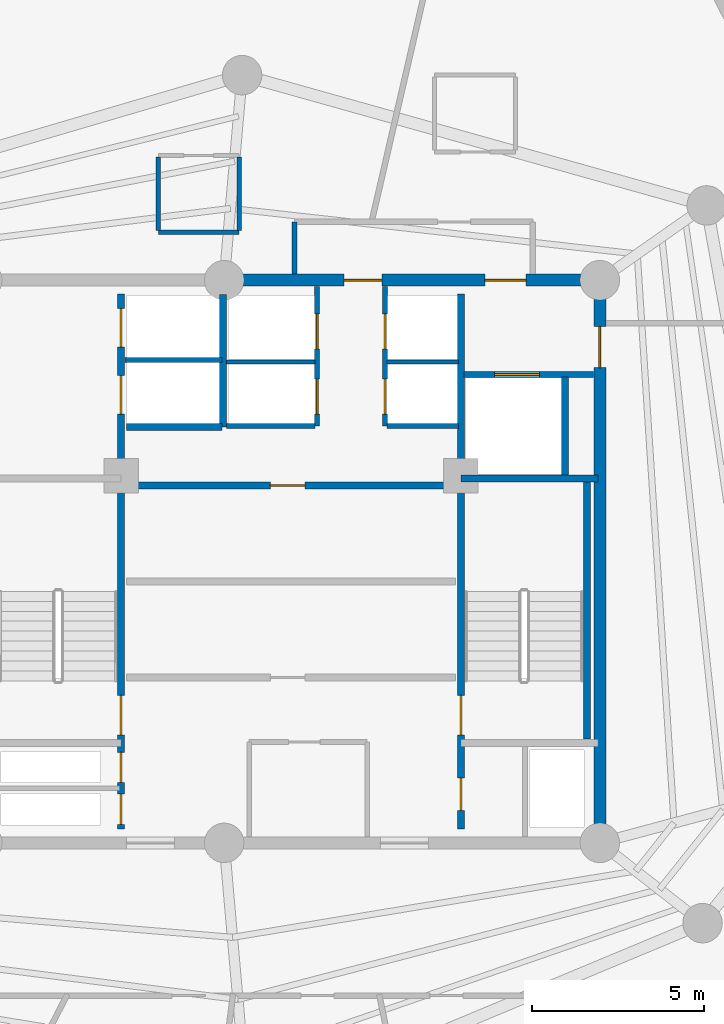
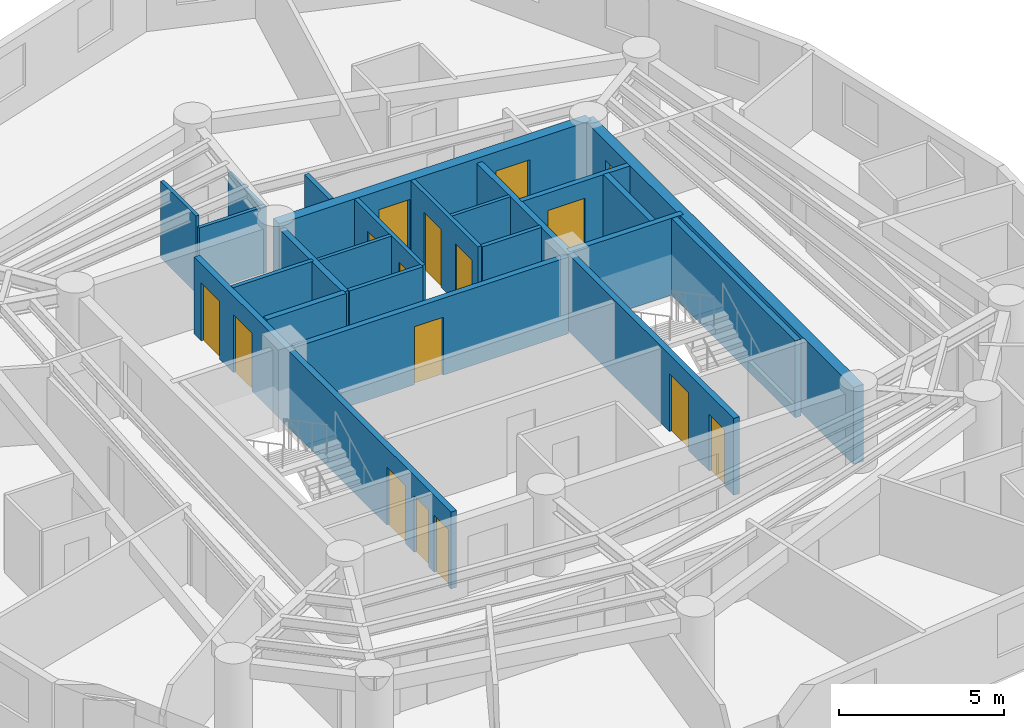
# One storey, part 4 of 7: 22 walls, 16 doors, 16 openings.
"""IFC4 building model written with IfcOpenShell, lengths in metres."""

from ifc_helpers import new_model, si_unit, direction, frame, frame_2d, origin, origin_with_axes, place, context, subcontext, project, spatial, rectangle, extrude, source, transform, mapped, material, layer, layer_set, type_object, element, fill, save


model = new_model("IFC4")

# Units and contexts
model_context = context("Model", 3, precision=1e-05, world=origin(), true_north=direction((0.0, 1.0)))
body_context = subcontext(model_context, "Body", "Model", "MODEL_VIEW")
ifc_project = project(units=[si_unit("LENGTHUNIT", "METRE"), si_unit("AREAUNIT", "SQUARE_METRE"), si_unit("VOLUMEUNIT", "CUBIC_METRE"), si_unit("PLANEANGLEUNIT", "RADIAN"), si_unit("MASSUNIT", "GRAM", prefix="KILO")], contexts=[model_context])

# Site, building, storey
site_placement = place(None, origin())
site = spatial("IfcSite", under=ifc_project, at=site_placement, CompositionType="ELEMENT")
building_placement = place(site_placement, origin())
building = spatial("IfcBuilding", under=site, at=building_placement, Name="Karkom Vertical University and Central Library", CompositionType="ELEMENT")
storey_placement = place(building_placement, frame((0.0, 0.0, 219.949951171875)))
storey = spatial("IfcBuildingStorey", under=building, at=storey_placement, Name="L64", CompositionType="ELEMENT", Elevation=219.949951171875)

# Walls
ifc_material_1 = material(Name="Insulated metal-stud drywall 160mm", Category="gypsum")
ifc_layer_1 = layer(ifc_material_1, 0.159912109375)
ifc_layer_set_1 = layer_set([ifc_layer_1], Name="Insulated metal-stud drywall 160mm")
wall_type_1 = type_object("IfcWallType", Name="INT-WL-COR-160", PredefinedType="PARTITIONING", material=ifc_layer_set_1)
wall_1_placement = place(storey_placement, frame((28.60009765625, 34.882080078125, 0.0), z_axis=(0.0, 0.0, 1.0), x_axis=(0.0, 1.0, 0.0)))
element("IfcWall", 1, at=wall_1_placement, inside=storey, type_object=wall_type_1, Name="Level 64 Interior Partition Wall L64-CORW-CW-006", PredefinedType="PARTITIONING", context=body_context, shape_type="SweptSolid", body=[
    extrude(rectangle(XDim=1.517822265625, YDim=0.159912109375, at=frame_2d((0.7587890625, 0.0))), origin(), (0.0, 0.0, 1.0), 2.85009765625),
])
ifc_material_2 = material(Name="Moisture-resistant drywall 120mm", Category="gypsum")
ifc_layer_2 = layer(ifc_material_2, 0.1201171875)
ifc_layer_set_2 = layer_set([ifc_layer_2], Name="Moisture-resistant drywall 120mm")
wall_type_2 = type_object("IfcWallType", Name="INT-WL-INT-120F", PredefinedType="PARTITIONING", material=ifc_layer_set_2)
wall_2_placement = place(storey_placement, frame((24.62890625, 36.096923828125, 0.0), z_axis=(0.0, 0.0, 1.0), x_axis=(1.0, 0.0, 0.0)))
element("IfcWall", 2, at=wall_2_placement, inside=storey, type_object=wall_type_2, Name="Level 64 Interior Partition Wall L64-ENS-49-S", PredefinedType="PARTITIONING", context=body_context, shape_type="SweptSolid", body=[
    extrude(rectangle(XDim=2.360107421875, YDim=0.1201171875, at=frame_2d((1.18017578125, 0.0))), origin(), (0.0, 0.0, 1.0), 2.449951171875),
])
wall_3_placement = place(storey_placement, frame((26.989013671875, 36.14697265625, 0.0), z_axis=(0.0, 0.0, 1.0), x_axis=(0.0, 1.0, 0.0)))
element("IfcWall", 3, at=wall_3_placement, inside=storey, type_object=wall_type_2, Name="Level 64 Interior Partition Wall L64-ENS-49-E", PredefinedType="PARTITIONING", context=body_context, shape_type="SweptSolid", body=[
    extrude(rectangle(XDim=2.14013671875, YDim=0.1201171875, at=frame_2d((1.070068359375, 0.0))), origin(), (0.0, 0.0, 1.0), 2.35009765625),
])
wall_4_placement = place(storey_placement, frame((24.62890625, 38.287109375, 0.0), z_axis=(0.0, 0.0, 1.0), x_axis=(0.0, -1.0, 0.0)))
element("IfcWall", 4, at=wall_4_placement, inside=storey, type_object=wall_type_2, Name="Level 64 Interior Partition Wall L64-ENS-49-W", PredefinedType="PARTITIONING", context=body_context, shape_type="SweptSolid", body=[
    extrude(rectangle(XDim=2.14013671875, YDim=0.1201171875, at=frame_2d((1.070068359375, 0.0))), origin(), (0.0, 0.0, 1.0), 2.85009765625),
])
ifc_layer_3 = layer(ifc_material_2, 0.1201171875)
ifc_layer_set_3 = layer_set([ifc_layer_3], Name="Moisture-resistant drywall 120mm")
wall_type_3 = type_object("IfcWallType", Name="INT-WL-INT-120H", PredefinedType="PARTITIONING", material=ifc_layer_set_3)
wall_5_placement = place(storey_placement, frame((26.6201171875, 32.320068359375, 0.0), z_axis=(0.0, 0.0, 1.0), x_axis=(1.0, 0.0, 0.0)))
element("IfcWall", 5, at=wall_5_placement, inside=storey, type_object=wall_type_3, Name="Level 64 Interior Partition Wall L64-CW-PH-MW", PredefinedType="PARTITIONING", context=body_context, shape_type="SweptSolid", body=[
    extrude(rectangle(XDim=2.579833984375, YDim=0.1201171875, at=frame_2d((1.2900390625, 0.0))), origin(), (0.0, 0.0, 1.0), 2.85009765625),
])
wall_6_placement = place(storey_placement, frame((31.300048828125, 32.320068359375, 0.0), z_axis=(0.0, 0.0, 1.0), x_axis=(1.0, 0.0, 0.0)))
element("IfcWall", 6, at=wall_6_placement, inside=storey, type_object=wall_type_3, Name="Level 64 Interior Partition Wall L64-CW-PH-ME", PredefinedType="PARTITIONING", context=body_context, shape_type="SweptSolid", body=[
    extrude(rectangle(XDim=2.074951171875, YDim=0.1201171875, at=frame_2d((1.03759765625, 0.0))), origin(), (0.0, 0.0, 1.0), 2.85009765625),
])

# Wall, openings, doors
ifc_material_3 = material(Name="Metal-stud gypsum partition 140mm", Category="gypsum")
ifc_layer_4 = layer(ifc_material_3, 0.139892578125)
ifc_layer_set_4 = layer_set([ifc_layer_4], Name="Metal-stud gypsum partition 140mm")
wall_type_4 = type_object("IfcWallType", Name="INT-WL-SUB-140H", PredefinedType="PARTITIONING", material=ifc_layer_set_4)
wall_7_placement = place(storey_placement, frame((29.260009765625, 30.449951171875, 0.0), z_axis=(0.0, 0.0, 1.0), x_axis=(0.0, 1.0, 0.0)))
wall_7 = element("IfcWall", 7, at=wall_7_placement, inside=storey, type_object=wall_type_4, Name="Level 64 Interior Partition Wall L64-CW-PH-W", PredefinedType="PARTITIONING", context=body_context, shape_type="SweptSolid", body=[
    extrude(rectangle(XDim=4.068115234375, YDim=0.139892578125, at=frame_2d((2.0341796875, 0.0))), origin(), (0.0, 0.0, 1.0), 2.85009765625),
])
opening_1_placement = place(wall_7_placement, frame((0.35009765625, 0.0, 0.0)))
opening_1 = element("IfcOpeningElement", 8, at=opening_1_placement, cuts=wall_7, Name="Opening LD-PH", PredefinedType="OPENING", context=body_context, shape_type="SweptSolid", body=[
    extrude(rectangle(XDim=1.02001953125, YDim=2.14990234375, at=frame_2d((0.510009765625, 1.074951171875))), frame((0.0, 0.080078125, 0.0), z_axis=(0.0, -1.0, 0.0), x_axis=(1.0, 0.0, 0.0)), (0.0, 0.0, 1.0), 0.159912109375),
])
opening_2_placement = place(wall_7_placement, frame((2.25, 0.0, 0.0)))
opening_2 = element("IfcOpeningElement", 9, at=opening_2_placement, cuts=wall_7, Name="Opening LD-PH", PredefinedType="OPENING", context=body_context, shape_type="SweptSolid", body=[
    extrude(rectangle(XDim=1.02001953125, YDim=2.14990234375, at=frame_2d((0.510009765625, 1.074951171875))), frame((0.0, 0.080078125, 0.0), z_axis=(0.0, -1.0, 0.0), x_axis=(1.0, 0.0, 0.0)), (0.0, 0.0, 1.0), 0.159912109375),
])
ifc_material_4 = material(Name="Brushed stainless-steel landing door", Category="steel")
door_type_1 = type_object("IfcDoorType", Name="INT-DR-LD-PH", OperationType="SLIDING_TO_LEFT", PredefinedType="DOOR", material=ifc_material_4)
shared_shape_1 = source(origin_with_axes(), body_context, "Body", "SweptSolid", [
    extrude(rectangle(XDim=1.02001953125, YDim=2.14990234375, at=frame_2d((0.510009765625, 1.074951171875))), frame((0.0, 0.02490234375, 0.0), z_axis=(0.0, -1.0, 0.0), x_axis=(1.0, 0.0, 0.0)), (0.0, 0.0, 1.0), 0.050048828125),
])
door_1_placement = place(opening_1_placement, origin())
door_1 = element("IfcDoor", 10, at=door_1_placement, inside=storey, type_object=door_type_1, Name="Level 64 Lift PH-1 Landing Door", OperationType="SLIDING_TO_LEFT", OverallHeight=2.14990234375, OverallWidth=1.02001953125, PredefinedType="DOOR", context=body_context, shape_type="MappedRepresentation", body=[
    mapped(shared_shape_1, transform((0.0, 0.0, 0.0), scale=1.0)),
])
fill(opening_1, door_1)
door_2_placement = place(opening_2_placement, origin())
door_2 = element("IfcDoor", 11, at=door_2_placement, inside=storey, type_object=door_type_1, Name="Level 64 Lift PH-2 Landing Door", OperationType="SLIDING_TO_LEFT", OverallHeight=2.14990234375, OverallWidth=1.02001953125, PredefinedType="DOOR", context=body_context, shape_type="MappedRepresentation", body=[
    mapped(shared_shape_1, transform((0.0, 0.0, 0.0), scale=1.0)),
])
fill(opening_2, door_2)

wall_8_placement = place(storey_placement, frame((31.239990234375, 30.449951171875, 0.0), z_axis=(0.0, 0.0, 1.0), x_axis=(0.0, 1.0, 0.0)))
wall_8 = element("IfcWall", 12, at=wall_8_placement, inside=storey, type_object=wall_type_4, Name="Level 64 Interior Partition Wall L64-CW-PH-E", PredefinedType="PARTITIONING", context=body_context, shape_type="SweptSolid", body=[
    extrude(rectangle(XDim=4.068115234375, YDim=0.139892578125, at=frame_2d((2.0341796875, 0.0))), origin(), (0.0, 0.0, 1.0), 2.85009765625),
])
opening_3_placement = place(wall_8_placement, frame((0.35009765625, 0.0, 0.0)))
opening_3 = element("IfcOpeningElement", 13, at=opening_3_placement, cuts=wall_8, Name="Opening LD-PH", PredefinedType="OPENING", context=body_context, shape_type="SweptSolid", body=[
    extrude(rectangle(XDim=1.02001953125, YDim=2.14990234375, at=frame_2d((0.510009765625, 1.074951171875))), frame((0.0, 0.080078125, 0.0), z_axis=(0.0, -1.0, 0.0), x_axis=(1.0, 0.0, 0.0)), (0.0, 0.0, 1.0), 0.159912109375),
])
opening_4_placement = place(wall_8_placement, frame((2.25, 0.0, 0.0)))
opening_4 = element("IfcOpeningElement", 14, at=opening_4_placement, cuts=wall_8, Name="Opening LD-PH", PredefinedType="OPENING", context=body_context, shape_type="SweptSolid", body=[
    extrude(rectangle(XDim=1.02001953125, YDim=2.14990234375, at=frame_2d((0.510009765625, 1.074951171875))), frame((0.0, 0.080078125, 0.0), z_axis=(0.0, -1.0, 0.0), x_axis=(1.0, 0.0, 0.0)), (0.0, 0.0, 1.0), 0.159912109375),
])
door_3_placement = place(opening_3_placement, origin())
door_3 = element("IfcDoor", 15, at=door_3_placement, inside=storey, type_object=door_type_1, Name="Level 64 Lift PH-3 Landing Door", OperationType="SLIDING_TO_LEFT", OverallHeight=2.14990234375, OverallWidth=1.02001953125, PredefinedType="DOOR", context=body_context, shape_type="MappedRepresentation", body=[
    mapped(shared_shape_1, transform((0.0, 0.0, 0.0), scale=1.0)),
])
fill(opening_3, door_3)
door_4_placement = place(opening_4_placement, origin())
door_4 = element("IfcDoor", 16, at=door_4_placement, inside=storey, type_object=door_type_1, Name="Level 64 Lift PH-4 Landing Door", OperationType="SLIDING_TO_LEFT", OverallHeight=2.14990234375, OverallWidth=1.02001953125, PredefinedType="DOOR", context=body_context, shape_type="MappedRepresentation", body=[
    mapped(shared_shape_1, transform((0.0, 0.0, 0.0), scale=1.0)),
])
fill(opening_4, door_4)

# Walls
wall_9_placement = place(storey_placement, frame((26.6201171875, 30.449951171875, 0.0), z_axis=(0.0, 0.0, 1.0), x_axis=(1.0, 0.0, 0.0)))
element("IfcWall", 17, at=wall_9_placement, inside=storey, type_object=wall_type_4, Name="Level 64 Interior Partition Wall L64-CW-PH-S1", PredefinedType="PARTITIONING", context=body_context, shape_type="SweptSolid", body=[
    extrude(rectangle(XDim=2.579833984375, YDim=0.139892578125, at=frame_2d((1.2900390625, 0.0))), origin(), (0.0, 0.0, 1.0), 2.85009765625),
])
wall_10_placement = place(storey_placement, frame((31.300048828125, 30.449951171875, 0.0), z_axis=(0.0, 0.0, 1.0), x_axis=(1.0, 0.0, 0.0)))
element("IfcWall", 18, at=wall_10_placement, inside=storey, type_object=wall_type_4, Name="Level 64 Interior Partition Wall L64-CW-PH-S2", PredefinedType="PARTITIONING", context=body_context, shape_type="SweptSolid", body=[
    extrude(rectangle(XDim=2.074951171875, YDim=0.139892578125, at=frame_2d((1.03759765625, 0.0))), origin(), (0.0, 0.0, 1.0), 2.85009765625),
])
ifc_layer_5 = layer(ifc_material_3, 0.139892578125)
ifc_layer_set_5 = layer_set([ifc_layer_5], Name="Metal-stud gypsum partition 140mm")
wall_type_5 = type_object("IfcWallType", Name="INT-WL-SUB-140X", PredefinedType="PARTITIONING", material=ifc_layer_set_5)
wall_11_placement = place(storey_placement, frame((23.652099609375, 32.3701171875, 0.0), z_axis=(0.0, 0.0, 1.0), x_axis=(1.0, 0.0, 0.0)))
element("IfcWall", 19, at=wall_11_placement, inside=storey, type_object=wall_type_5, Name="Level 64 Interior Partition Wall L64-CW-FFL-M", PredefinedType="PARTITIONING", context=body_context, shape_type="SweptSolid", body=[
    extrude(rectangle(XDim=2.827880859375, YDim=0.139892578125, at=frame_2d((1.4140625, 0.0))), origin(), (0.0, 0.0, 1.0), 2.85009765625),
])

# Wall, opening, door
ifc_material_5 = material(Name="Twin-stud acoustic drywall 180mm", Category="gypsum")
ifc_layer_6 = layer(ifc_material_5, 0.179931640625)
ifc_layer_set_6 = layer_set([ifc_layer_6], Name="Twin-stud acoustic drywall 180mm")
wall_type_6 = type_object("IfcWallType", Name="INT-WL-TEN-180F", PredefinedType="PARTITIONING", material=ifc_layer_set_6)
wall_12_placement = place(storey_placement, frame((33.534912109375, 31.949951171875, 0.0), z_axis=(0.0, 0.0, 1.0), x_axis=(1.0, 0.0, 0.0)))
wall_12 = element("IfcWall", 20, at=wall_12_placement, inside=storey, type_object=wall_type_6, Name="Level 64 Interior Partition Wall L64-CW-SVL-N", PredefinedType="PARTITIONING", context=body_context, shape_type="SweptSolid", body=[
    extrude(rectangle(XDim=3.783935546875, YDim=0.179931640625, at=frame_2d((1.89208984375, 0.0))), origin(), (0.0, 0.0, 1.0), 2.85009765625),
])
opening_5_placement = place(wall_12_placement, frame((0.89990234375, 0.0, 0.0)))
opening_5 = element("IfcOpeningElement", 21, at=opening_5_placement, cuts=wall_12, Name="Opening LD-SV1", PredefinedType="OPENING", context=body_context, shape_type="SweptSolid", body=[
    extrude(rectangle(XDim=1.300048828125, YDim=2.199951171875, at=frame_2d((0.64990234375, 1.10009765625))), frame((0.0, 0.10009765625, 0.0), z_axis=(0.0, -1.0, 0.0), x_axis=(1.0, 0.0, 0.0)), (0.0, 0.0, 1.0), 0.199951171875),
])
door_type_2 = type_object("IfcDoorType", Name="INT-DR-LD-SV1", OperationType="SLIDING_TO_LEFT", PredefinedType="DOOR", material=ifc_material_4)
shared_shape_2 = source(origin_with_axes(), body_context, "Body", "SweptSolid", [
    extrude(rectangle(XDim=1.300048828125, YDim=2.199951171875, at=frame_2d((0.64990234375, 1.10009765625))), frame((0.0, 0.02490234375, 0.0), z_axis=(0.0, -1.0, 0.0), x_axis=(1.0, 0.0, 0.0)), (0.0, 0.0, 1.0), 0.050048828125),
])
door_5_placement = place(opening_5_placement, origin())
door_5 = element("IfcDoor", 22, at=door_5_placement, inside=storey, type_object=door_type_2, Name="Level 64 Service Lift Landing Door LD-SV1", OperationType="SLIDING_TO_LEFT", OverallHeight=2.199951171875, OverallWidth=1.300048828125, PredefinedType="DOOR", context=body_context, shape_type="MappedRepresentation", body=[
    mapped(shared_shape_2, transform((0.0, 0.0, 0.0), scale=1.0)),
])
fill(opening_5, door_5)

ifc_material_6 = material(Name="Concrete C45/55", Category="concrete")
ifc_layer_7 = layer(ifc_material_6, 0.35009765625)
ifc_layer_set_7 = layer_set([ifc_layer_7], Name="Concrete C45/55")
wall_type_7 = type_object("IfcWallType", Name="STR-WL-CW-350", PredefinedType="SHEAR", material=ifc_layer_set_7)
wall_13_placement = place(storey_placement, frame((37.5, 18.300048828125, 0.0), z_axis=(0.0, 0.0, 1.0), x_axis=(0.0, 1.0, 0.0)))
wall_13 = element("IfcWall", 23, at=wall_13_placement, inside=storey, type_object=wall_type_7, Name="Level 64 Central Core Shear Wall EW", PredefinedType="SHEAR", context=body_context, shape_type="SweptSolid", body=[
    extrude(rectangle(XDim=16.39990234375, YDim=0.35009765625, at=frame_2d((8.199951171875, 0.0))), origin(), (0.0, 0.0, 1.0), 2.85009765625),
])
opening_6_placement = place(wall_13_placement, frame((13.85009765625, 0.0, 0.0)))
opening_6 = element("IfcOpeningElement", 24, at=opening_6_placement, cuts=wall_13, Name="Opening FD-SUB1", PredefinedType="OPENING", context=body_context, shape_type="SweptSolid", body=[
    extrude(rectangle(XDim=1.199951171875, YDim=2.14990234375, at=frame_2d((0.60009765625, 1.074951171875))), frame((0.0, 0.18505859375, 0.0), z_axis=(0.0, -1.0, 0.0), x_axis=(1.0, 0.0, 0.0)), (0.0, 0.0, 1.0), 0.3701171875),
])
ifc_material_7 = material(Name="Painted steel fire door", Category="steel")
door_type_3 = type_object("IfcDoorType", Name="INT-DR-SUB1", OperationType="NOTDEFINED", PredefinedType="DOOR", material=ifc_material_7)
shared_shape_3 = source(origin_with_axes(), body_context, "Body", "SweptSolid", [
    extrude(rectangle(XDim=1.199951171875, YDim=2.14990234375, at=frame_2d((0.60009765625, 1.074951171875))), frame((0.0, 0.02490234375, 0.0), z_axis=(0.0, -1.0, 0.0), x_axis=(1.0, 0.0, 0.0)), (0.0, 0.0, 1.0), 0.050048828125),
])
door_6_placement = place(opening_6_placement, origin())
door_6 = element("IfcDoor", 25, at=door_6_placement, inside=storey, type_object=door_type_3, Name="Level 64 East Corridor Service Lobby Door", OperationType="SINGLE_SWING_LEFT", OverallHeight=2.14990234375, OverallWidth=1.199951171875, PredefinedType="DOOR", context=body_context, shape_type="MappedRepresentation", body=[
    mapped(shared_shape_3, transform((0.0, 0.0, 0.0), scale=1.0)),
])
fill(opening_6, door_6)

# Wall, openings, doors
wall_14_placement = place(storey_placement, frame((37.5, 34.699951171875, 0.0), z_axis=(0.0, 0.0, 1.0), x_axis=(-1.0, 0.0, 0.0)))
wall_14 = element("IfcWall", 26, at=wall_14_placement, inside=storey, type_object=wall_type_7, Name="Level 64 Central Core Shear Wall NW1", PredefinedType="SHEAR", context=body_context, shape_type="SweptSolid", body=[
    extrude(rectangle(XDim=10.949951171875, YDim=0.35009765625, at=frame_2d((5.47509765625, 0.0))), origin(), (0.0, 0.0, 1.0), 2.85009765625),
])
opening_7_placement = place(wall_14_placement, frame((2.14990234375, 0.0, 0.0)))
opening_7 = element("IfcOpeningElement", 27, at=opening_7_placement, cuts=wall_14, Name="Opening FD-SUB1", PredefinedType="OPENING", context=body_context, shape_type="SweptSolid", body=[
    extrude(rectangle(XDim=1.199951171875, YDim=2.14990234375, at=frame_2d((0.60009765625, 1.074951171875))), frame((0.0, 0.18505859375, 0.0), z_axis=(0.0, -1.0, 0.0), x_axis=(1.0, 0.0, 0.0)), (0.0, 0.0, 1.0), 0.3701171875),
])
opening_8_placement = place(wall_14_placement, frame((6.35009765625, 0.0, 0.0)))
opening_8 = element("IfcOpeningElement", 28, at=opening_8_placement, cuts=wall_14, Name="Opening FD-FFL", PredefinedType="OPENING", context=body_context, shape_type="SweptSolid", body=[
    extrude(rectangle(XDim=1.10009765625, YDim=2.14990234375, at=frame_2d((0.550048828125, 1.074951171875))), frame((0.0, 0.18505859375, 0.0), z_axis=(0.0, -1.0, 0.0), x_axis=(1.0, 0.0, 0.0)), (0.0, 0.0, 1.0), 0.3701171875),
])
ifc_material_8 = material(Name="Painted steel smoke-seal fire door", Category="steel")
door_type_4 = type_object("IfcDoorType", Name="INT-DR-FFL", OperationType="NOTDEFINED", PredefinedType="DOOR", material=ifc_material_8)
shared_shape_4 = source(origin_with_axes(), body_context, "Body", "SweptSolid", [
    extrude(rectangle(XDim=1.10009765625, YDim=2.14990234375, at=frame_2d((0.550048828125, 1.074951171875))), frame((0.0, 0.02490234375, 0.0), z_axis=(0.0, -1.0, 0.0), x_axis=(1.0, 0.0, 0.0)), (0.0, 0.0, 1.0), 0.050048828125),
])
door_7_placement = place(opening_8_placement, origin())
door_7 = element("IfcDoor", 29, at=door_7_placement, inside=storey, type_object=door_type_4, Name="Level 64 North Core Lobby Exit Door", OperationType="SINGLE_SWING_LEFT", OverallHeight=2.14990234375, OverallWidth=1.10009765625, PredefinedType="DOOR", context=body_context, shape_type="MappedRepresentation", body=[
    mapped(shared_shape_4, transform((0.0, 0.0, 0.0), scale=1.0)),
])
fill(opening_8, door_7)
door_8_placement = place(opening_7_placement, origin())
door_8 = element("IfcDoor", 30, at=door_8_placement, inside=storey, type_object=door_type_3, Name="Level 64 Service Lobby Fire Door", OperationType="SINGLE_SWING_RIGHT", OverallHeight=2.14990234375, OverallWidth=1.199951171875, PredefinedType="DOOR", context=body_context, shape_type="MappedRepresentation", body=[
    mapped(shared_shape_3, transform((0.0, 0.0, 0.0), scale=1.0)),
])
fill(opening_7, door_8)

ifc_layer_8 = layer(ifc_material_6, 0.199951171875)
ifc_layer_set_8 = layer_set([ifc_layer_8], Name="Concrete C45/55")
wall_type_8 = type_object("IfcWallType", Name="STR-WL-ST-200", PredefinedType="SHEAR", material=ifc_layer_set_8)
wall_15_placement = place(storey_placement, frame((23.544921875, 18.699951171875, 0.0), z_axis=(0.0, 0.0, 1.0), x_axis=(0.0, 1.0, 0.0)))
wall_15 = element("IfcWall", 31, at=wall_15_placement, inside=storey, type_object=wall_type_8, Name="Level 64 Core Shaft Wall L64-CW-ST1-E", PredefinedType="SHEAR", context=body_context, shape_type="SweptSolid", body=[
    extrude(rectangle(XDim=15.60009765625, YDim=0.199951171875, at=frame_2d((7.800048828125, 0.0))), origin(), (0.0, 0.0, 1.0), 2.85009765625),
])
opening_9_placement = place(wall_15_placement, frame((2.75, 0.0, 0.0)))
opening_9 = element("IfcOpeningElement", 32, at=opening_9_placement, cuts=wall_15, Name="Opening FD-ST1", PredefinedType="OPENING", context=body_context, shape_type="SweptSolid", body=[
    extrude(rectangle(XDim=1.14990234375, YDim=2.14990234375, at=frame_2d((0.574951171875, 1.074951171875))), frame((0.0, 0.10986328125, 0.0), z_axis=(0.0, -1.0, 0.0), x_axis=(1.0, 0.0, 0.0)), (0.0, 0.0, 1.0), 0.219970703125),
])
opening_10_placement = place(wall_15_placement, frame((0.139892578125, 0.0, 0.0)))
opening_10 = element("IfcOpeningElement", 33, at=opening_10_placement, cuts=wall_15, Name="Opening FD-RIS", PredefinedType="OPENING", context=body_context, shape_type="SweptSolid", body=[
    extrude(rectangle(XDim=0.8798828125, YDim=2.10009765625, at=frame_2d((0.43994140625, 1.050048828125))), frame((0.0, 0.10986328125, 0.0), z_axis=(0.0, -1.0, 0.0), x_axis=(1.0, 0.0, 0.0)), (0.0, 0.0, 1.0), 0.219970703125),
])
opening_11_placement = place(wall_15_placement, frame((1.360107421875, 0.0, 0.0)))
opening_11 = element("IfcOpeningElement", 34, at=opening_11_placement, cuts=wall_15, Name="Opening FD-RIS", PredefinedType="OPENING", context=body_context, shape_type="SweptSolid", body=[
    extrude(rectangle(XDim=0.8798828125, YDim=2.10009765625, at=frame_2d((0.43994140625, 1.050048828125))), frame((0.0, 0.10986328125, 0.0), z_axis=(0.0, -1.0, 0.0), x_axis=(1.0, 0.0, 0.0)), (0.0, 0.0, 1.0), 0.219970703125),
])
opening_12_placement = place(wall_15_placement, frame((12.10009765625, 0.0, 0.0)))
opening_12 = element("IfcOpeningElement", 35, at=opening_12_placement, cuts=wall_15, Name="Opening LD-FFL", PredefinedType="OPENING", context=body_context, shape_type="SweptSolid", body=[
    extrude(rectangle(XDim=1.1201171875, YDim=2.14990234375, at=frame_2d((0.56005859375, 1.074951171875))), frame((0.0, 0.10986328125, 0.0), z_axis=(0.0, -1.0, 0.0), x_axis=(1.0, 0.0, 0.0)), (0.0, 0.0, 1.0), 0.219970703125),
])
opening_13_placement = place(wall_15_placement, frame((14.050048828125, 0.0, 0.0)))
opening_13 = element("IfcOpeningElement", 36, at=opening_13_placement, cuts=wall_15, Name="Opening LD-FFL", PredefinedType="OPENING", context=body_context, shape_type="SweptSolid", body=[
    extrude(rectangle(XDim=1.1201171875, YDim=2.14990234375, at=frame_2d((0.56005859375, 1.074951171875))), frame((0.0, 0.10986328125, 0.0), z_axis=(0.0, -1.0, 0.0), x_axis=(1.0, 0.0, 0.0)), (0.0, 0.0, 1.0), 0.219970703125),
])
ifc_material_9 = material(Name="Painted steel acoustic fire door", Category="steel")
door_type_5 = type_object("IfcDoorType", Name="INT-DR-ST1", OperationType="NOTDEFINED", PredefinedType="DOOR", material=ifc_material_9)
shared_shape_5 = source(origin_with_axes(), body_context, "Body", "SweptSolid", [
    extrude(rectangle(XDim=1.14990234375, YDim=2.14990234375, at=frame_2d((0.574951171875, 1.074951171875))), frame((0.0, 0.02490234375, 0.0), z_axis=(0.0, -1.0, 0.0), x_axis=(1.0, 0.0, 0.0)), (0.0, 0.0, 1.0), 0.050048828125),
])
door_9_placement = place(opening_9_placement, origin())
door_9 = element("IfcDoor", 37, at=door_9_placement, inside=storey, type_object=door_type_5, Name="Level 64 Stair ST-1 Fire Door", OperationType="SINGLE_SWING_RIGHT", OverallHeight=2.14990234375, OverallWidth=1.14990234375, PredefinedType="DOOR", context=body_context, shape_type="MappedRepresentation", body=[
    mapped(shared_shape_5, transform((0.0, 0.0, 0.0), scale=1.0)),
])
fill(opening_9, door_9)
ifc_material_10 = material(Name="Painted steel riser access door", Category="steel")
door_type_6 = type_object("IfcDoorType", Name="INT-DR-RIS", OperationType="NOTDEFINED", PredefinedType="DOOR", material=ifc_material_10)
shared_shape_6 = source(origin_with_axes(), body_context, "Body", "SweptSolid", [
    extrude(rectangle(XDim=0.8798828125, YDim=2.10009765625, at=frame_2d((0.43994140625, 1.050048828125))), frame((0.0, 0.02490234375, 0.0), z_axis=(0.0, -1.0, 0.0), x_axis=(1.0, 0.0, 0.0)), (0.0, 0.0, 1.0), 0.050048828125),
])
door_10_placement = place(opening_10_placement, origin())
door_10 = element("IfcDoor", 38, at=door_10_placement, inside=storey, type_object=door_type_6, Name="Level 64 Electrical Riser Access Door", OperationType="SINGLE_SWING_LEFT", OverallHeight=2.10009765625, OverallWidth=0.8798828125, PredefinedType="DOOR", context=body_context, shape_type="MappedRepresentation", body=[
    mapped(shared_shape_6, transform((0.0, 0.0, 0.0), scale=1.0)),
])
fill(opening_10, door_10)
door_11_placement = place(opening_11_placement, origin())
door_11 = element("IfcDoor", 39, at=door_11_placement, inside=storey, type_object=door_type_6, Name="Level 64 Telecom Riser Access Door", OperationType="SINGLE_SWING_RIGHT", OverallHeight=2.10009765625, OverallWidth=0.8798828125, PredefinedType="DOOR", context=body_context, shape_type="MappedRepresentation", body=[
    mapped(shared_shape_6, transform((0.0, 0.0, 0.0), scale=1.0)),
])
fill(opening_11, door_11)
ifc_material_11 = material(Name="Fire-rated stainless-steel landing door", Category="steel")
door_type_7 = type_object("IfcDoorType", Name="INT-DR-LD-FFL", OperationType="SLIDING_TO_LEFT", PredefinedType="DOOR", material=ifc_material_11)
shared_shape_7 = source(origin_with_axes(), body_context, "Body", "SweptSolid", [
    extrude(rectangle(XDim=1.1201171875, YDim=2.14990234375, at=frame_2d((0.56005859375, 1.074951171875))), frame((0.0, 0.02490234375, 0.0), z_axis=(0.0, -1.0, 0.0), x_axis=(1.0, 0.0, 0.0)), (0.0, 0.0, 1.0), 0.050048828125),
])
door_12_placement = place(opening_12_placement, origin())
door_12 = element("IfcDoor", 40, at=door_12_placement, inside=storey, type_object=door_type_7, Name="Level 64 Firefighting Lift FFL-1 Landing Door", OperationType="SLIDING_TO_LEFT", OverallHeight=2.14990234375, OverallWidth=1.1201171875, PredefinedType="DOOR", context=body_context, shape_type="MappedRepresentation", body=[
    mapped(shared_shape_7, transform((0.0, 0.0, 0.0), scale=1.0)),
])
fill(opening_12, door_12)
door_13_placement = place(opening_13_placement, origin())
door_13 = element("IfcDoor", 41, at=door_13_placement, inside=storey, type_object=door_type_7, Name="Level 64 Firefighting Lift FFL-2 Landing Door", OperationType="SLIDING_TO_RIGHT", OverallHeight=2.14990234375, OverallWidth=1.1201171875, PredefinedType="DOOR", context=body_context, shape_type="MappedRepresentation", body=[
    mapped(shared_shape_7, transform((0.0, 0.0, 0.0), scale=1.0)),
])
fill(opening_13, door_13)

wall_16_placement = place(storey_placement, frame((33.455078125, 18.699951171875, 0.0), z_axis=(0.0, 0.0, 1.0), x_axis=(0.0, 1.0, 0.0)))
wall_16 = element("IfcWall", 42, at=wall_16_placement, inside=storey, type_object=wall_type_8, Name="Level 64 Core Shaft Wall L64-CW-ST2-W", PredefinedType="SHEAR", context=body_context, shape_type="SweptSolid", body=[
    extrude(rectangle(XDim=15.60009765625, YDim=0.199951171875, at=frame_2d((7.800048828125, 0.0))), origin(), (0.0, 0.0, 1.0), 2.85009765625),
])
opening_14_placement = place(wall_16_placement, frame((2.75, 0.0, 0.0)))
opening_14 = element("IfcOpeningElement", 43, at=opening_14_placement, cuts=wall_16, Name="Opening FD-ST1", PredefinedType="OPENING", context=body_context, shape_type="SweptSolid", body=[
    extrude(rectangle(XDim=1.14990234375, YDim=2.14990234375, at=frame_2d((0.574951171875, 1.074951171875))), frame((0.0, 0.10986328125, 0.0), z_axis=(0.0, -1.0, 0.0), x_axis=(1.0, 0.0, 0.0)), (0.0, 0.0, 1.0), 0.219970703125),
])
opening_15_placement = place(wall_16_placement, frame((0.550048828125, 0.0, 0.0)))
opening_15 = element("IfcOpeningElement", 44, at=opening_15_placement, cuts=wall_16, Name="Opening D-WC1", PredefinedType="OPENING", context=body_context, shape_type="SweptSolid", body=[
    extrude(rectangle(XDim=0.93994140625, YDim=2.10009765625, at=frame_2d((0.469970703125, 1.050048828125))), frame((0.0, 0.10986328125, 0.0), z_axis=(0.0, -1.0, 0.0), x_axis=(1.0, 0.0, 0.0)), (0.0, 0.0, 1.0), 0.219970703125),
])
door_14_placement = place(opening_14_placement, origin())
door_14 = element("IfcDoor", 45, at=door_14_placement, inside=storey, type_object=door_type_5, Name="Level 64 Stair ST-2 Fire Door", OperationType="SINGLE_SWING_LEFT", OverallHeight=2.14990234375, OverallWidth=1.14990234375, PredefinedType="DOOR", context=body_context, shape_type="MappedRepresentation", body=[
    mapped(shared_shape_5, transform((0.0, 0.0, 0.0), scale=1.0)),
])
fill(opening_14, door_14)
ifc_material_12 = material(Name="Fire-rated laminate moisture-resistant door", Category="wood")
door_type_8 = type_object("IfcDoorType", Name="INT-DR-WC1", OperationType="NOTDEFINED", PredefinedType="DOOR", material=ifc_material_12)
shared_shape_8 = source(origin_with_axes(), body_context, "Body", "SweptSolid", [
    extrude(rectangle(XDim=0.93994140625, YDim=2.10009765625, at=frame_2d((0.469970703125, 1.050048828125))), frame((0.0, 0.02490234375, 0.0), z_axis=(0.0, -1.0, 0.0), x_axis=(1.0, 0.0, 0.0)), (0.0, 0.0, 1.0), 0.050048828125),
])
door_15_placement = place(opening_15_placement, origin())
door_15 = element("IfcDoor", 46, at=door_15_placement, inside=storey, type_object=door_type_8, Name="Level 64 Accessible WC Door", OperationType="SINGLE_SWING_LEFT", OverallHeight=2.10009765625, OverallWidth=0.93994140625, PredefinedType="DOOR", context=body_context, shape_type="MappedRepresentation", body=[
    mapped(shared_shape_8, transform((0.0, 0.0, 0.0), scale=1.0)),
])
fill(opening_15, door_15)

# Wall, opening, door
wall_17_placement = place(storey_placement, frame((23.699951171875, 28.719970703125, 0.0), z_axis=(0.0, 0.0, 1.0), x_axis=(1.0, 0.0, 0.0)))
wall_17 = element("IfcWall", 47, at=wall_17_placement, inside=storey, type_object=wall_type_8, Name="Level 64 Core Shaft Wall L64-CW-B2-N", PredefinedType="SHEAR", context=body_context, shape_type="SweptSolid", body=[
    extrude(rectangle(XDim=9.60009765625, YDim=0.199951171875, at=frame_2d((4.800048828125, 0.0))), origin(), (0.0, 0.0, 1.0), 2.85009765625),
])
opening_16_placement = place(wall_17_placement, frame((4.199951171875, 0.0, 0.0)))
opening_16 = element("IfcOpeningElement", 48, at=opening_16_placement, cuts=wall_17, Name="Opening D-STR1", PredefinedType="OPENING", context=body_context, shape_type="SweptSolid", body=[
    extrude(rectangle(XDim=1.0, YDim=2.14990234375, at=frame_2d((0.5, 1.074951171875))), frame((0.0, 0.10986328125, 0.0), z_axis=(0.0, -1.0, 0.0), x_axis=(1.0, 0.0, 0.0)), (0.0, 0.0, 1.0), 0.219970703125),
])
ifc_material_13 = material(Name="Solid-core hardwood fire door", Category="wood")
door_type_9 = type_object("IfcDoorType", Name="INT-DR-STR1", OperationType="NOTDEFINED", PredefinedType="DOOR", material=ifc_material_13)
shared_shape_9 = source(origin_with_axes(), body_context, "Body", "SweptSolid", [
    extrude(rectangle(XDim=1.0, YDim=2.14990234375, at=frame_2d((0.5, 1.074951171875))), frame((0.0, 0.02490234375, 0.0), z_axis=(0.0, -1.0, 0.0), x_axis=(1.0, 0.0, 0.0)), (0.0, 0.0, 1.0), 0.050048828125),
])
door_16_placement = place(opening_16_placement, origin())
door_16 = element("IfcDoor", 49, at=door_16_placement, inside=storey, type_object=door_type_9, Name="Level 64 Fellows Supply Store Room Door", OperationType="SINGLE_SWING_RIGHT", OverallHeight=2.14990234375, OverallWidth=1.0, PredefinedType="DOOR", context=body_context, shape_type="MappedRepresentation", body=[
    mapped(shared_shape_9, transform((0.0, 0.0, 0.0), scale=1.0)),
])
fill(opening_16, door_16)

# Walls
wall_18_placement = place(storey_placement, frame((37.125, 21.320068359375, 0.0), z_axis=(0.0, 0.0, 1.0), x_axis=(0.0, 1.0, 0.0)))
element("IfcWall", 50, at=wall_18_placement, inside=storey, type_object=wall_type_8, Name="Level 64 Core Shaft Wall L64-CW-ST2-E", PredefinedType="SHEAR", context=body_context, shape_type="SweptSolid", body=[
    extrude(rectangle(XDim=7.5, YDim=0.199951171875, at=frame_2d((3.75, 0.0))), origin(), (0.0, 0.0, 1.0), 2.85009765625),
])
wall_19_placement = place(storey_placement, frame((33.455078125, 28.925048828125, 0.0), z_axis=(0.0, 0.0, 1.0), x_axis=(1.0, 0.0, 0.0)))
element("IfcWall", 51, at=wall_19_placement, inside=storey, type_object=wall_type_8, Name="Level 64 Core Shaft Wall L64-CW-ST2-N", PredefinedType="SHEAR", context=body_context, shape_type="SweptSolid", body=[
    extrude(rectangle(XDim=3.994873046875, YDim=0.199951171875, at=frame_2d((1.99755859375, 0.0))), origin(), (0.0, 0.0, 1.0), 2.85009765625),
])
wall_20_placement = place(storey_placement, frame((26.52001953125, 30.419921875, 0.0), z_axis=(0.0, 0.0, 1.0), x_axis=(0.0, 1.0, 0.0)))
element("IfcWall", 52, at=wall_20_placement, inside=storey, type_object=wall_type_8, Name="Level 64 Core Shaft Wall L64-CW-FFL-E", PredefinedType="SHEAR", context=body_context, shape_type="SweptSolid", body=[
    extrude(rectangle(XDim=3.860107421875, YDim=0.199951171875, at=frame_2d((1.93017578125, 0.0))), origin(), (0.0, 0.0, 1.0), 2.85009765625),
])
wall_21_placement = place(storey_placement, frame((36.47998046875, 29.02001953125, 0.0), z_axis=(0.0, 0.0, 1.0), x_axis=(0.0, 1.0, 0.0)))
element("IfcWall", 53, at=wall_21_placement, inside=storey, type_object=wall_type_8, Name="Level 64 Core Shaft Wall L64-CW-SVL-E", PredefinedType="SHEAR", context=body_context, shape_type="SweptSolid", body=[
    extrude(rectangle(XDim=2.85986328125, YDim=0.199951171875, at=frame_2d((1.429931640625, 0.0))), origin(), (0.0, 0.0, 1.0), 2.85009765625),
])
wall_22_placement = place(storey_placement, frame((23.699951171875, 30.419921875, 0.0), z_axis=(0.0, 0.0, 1.0), x_axis=(1.0, 0.0, 0.0)))
element("IfcWall", 54, at=wall_22_placement, inside=storey, type_object=wall_type_8, Name="Level 64 Core Shaft Wall L64-CW-FFL-S", PredefinedType="SHEAR", context=body_context, shape_type="SweptSolid", body=[
    extrude(rectangle(XDim=2.780029296875, YDim=0.199951171875, at=frame_2d((1.39013671875, 0.0))), origin(), (0.0, 0.0, 1.0), 2.85009765625),
])

save(model, "model.ifc")
